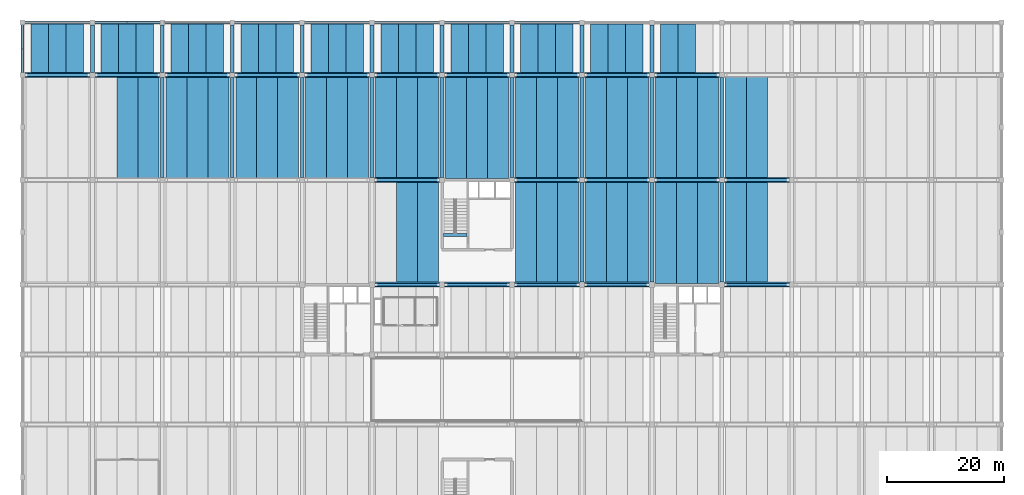
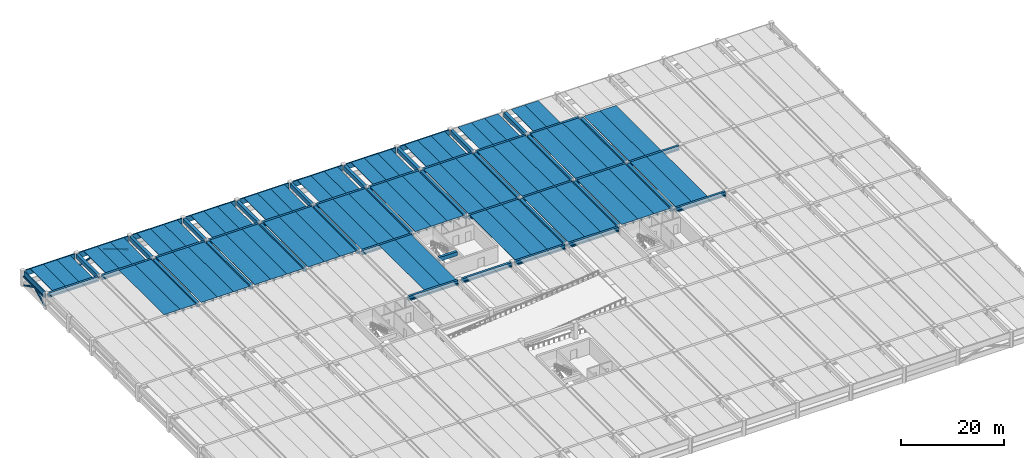
# One storey, part 4 of 19: 121 beams, 4 members.
"""IFC4 building model written with IfcOpenShell, lengths in metres."""

from ifc_helpers import new_model, si_unit, direction, frame, origin, origin_2d, place, context, subcontext, project, spatial, polyline, rectangle, hollow_rectangle, outline, extrude, material, material_profile, profile_set, type_object, element, save


model = new_model("IFC4")

# Units and contexts
model_context = context("Model", 3, precision=1e-05, world=origin(), true_north=direction((0.0, 1.0)))
body_context = subcontext(model_context, "Body", "Model", "MODEL_VIEW")
ifc_project = project(units=[si_unit("LENGTHUNIT", "METRE"), si_unit("AREAUNIT", "SQUARE_METRE"), si_unit("VOLUMEUNIT", "CUBIC_METRE"), si_unit("PLANEANGLEUNIT", "RADIAN"), si_unit("MASSUNIT", "GRAM", prefix="KILO")], contexts=[model_context])

# Site, building, storey
site_placement = place(None, origin())
site = spatial("IfcSite", under=ifc_project, at=site_placement, CompositionType="ELEMENT")
building_placement = place(site_placement, origin())
building = spatial("IfcBuilding", under=site, at=building_placement, Name="Girod Span Mobility Hub", CompositionType="ELEMENT")
storey_placement = place(building_placement, frame((0.0, 0.0, 13.39990234375)))
storey = spatial("IfcBuildingStorey", under=building, at=storey_placement, Name="L03", CompositionType="ELEMENT", Elevation=13.39990234375)

# Beams
ifc_material_1 = material(Name="Concrete C50/60", Category="concrete")
ifc_material_profile_1 = material_profile(ifc_material_1, outline(polyline([(-1.5, 0.35009765625), (-1.5, 0.2548828125), (-0.840087890625, 0.2548828125), (-0.81494140625, -0.35009765625), (-0.68505859375, -0.35009765625), (-0.659912109375, 0.2548828125), (0.659912109375, 0.2548828125), (0.68505859375, -0.35009765625), (0.81494140625, -0.35009765625), (0.840087890625, 0.2548828125), (1.5, 0.2548828125), (1.5, 0.35009765625), (-1.5, 0.35009765625)])), Name="DT-3000X700")
ifc_profile_set_1 = profile_set([ifc_material_profile_1], Name="Concrete C50/60")
beam_type_1 = type_object("IfcBeamType", Name="BM-DT-3000X700", PredefinedType="JOIST", material=ifc_profile_set_1)
for number, where, z_axis, x_axis, name in (
    (1, (3.0, 105.2470703125, 3.26513671875), (0.0, 1.0, 0.0), (-1.0, 0.0, 0.0), "Double-Tee Deck 1/H-1 L03"),
    (2, (6.0, 105.2470703125, 3.26513671875), (0.0, 1.0, 0.0), (-1.0, 0.0, 0.0), "Double-Tee Deck 1/H-2 L03"),
    (3, (9.0, 105.2470703125, 3.26513671875), (0.0, 1.0, 0.0), (-1.0, 0.0, 0.0), "Double-Tee Deck 1/H-3 L03"),
    (4, (15.0, 105.2470703125, 3.26513671875), (0.0, 1.0, 0.0), (-1.0, 0.0, 0.0), "Double-Tee Deck 2/H-1 L03"),
    (5, (18.0, 105.2470703125, 3.26513671875), (0.0, 1.0, 0.0), (-1.0, 0.0, 0.0), "Double-Tee Deck 2/H-2 L03"),
    (6, (21.0, 105.2470703125, 3.26513671875), (0.0, 1.0, 0.0), (-1.0, 0.0, 0.0), "Double-Tee Deck 2/H-3 L03"),
    (7, (27.0, 105.2470703125, 3.26513671875), (0.0, 1.0, 0.0), (-1.0, 0.0, 0.0), "Double-Tee Deck 3/H-1 L03"),
    (8, (30.0, 105.2470703125, 3.26513671875), (0.0, 1.0, 0.0), (-1.0, 0.0, 0.0), "Double-Tee Deck 3/H-2 L03"),
    (9, (33.0, 105.2470703125, 3.26513671875), (0.0, 1.0, 0.0), (-1.0, 0.0, 0.0), "Double-Tee Deck 3/H-3 L03"),
    (10, (39.0, 105.2470703125, 3.26513671875), (0.0, 1.0, 0.0), (-1.0, 0.0, 0.0), "Double-Tee Deck 4/H-1 L03"),
    (11, (42.0, 105.2470703125, 3.26513671875), (0.0, 1.0, 0.0), (-1.0, 0.0, 0.0), "Double-Tee Deck 4/H-2 L03"),
    (12, (45.0, 105.2470703125, 3.26513671875), (0.0, 1.0, 0.0), (-1.0, 0.0, 0.0), "Double-Tee Deck 4/H-3 L03"),
    (13, (51.0, 105.2470703125, 3.26513671875), (0.0, 1.0, 0.0), (-1.0, 0.0, 0.0), "Double-Tee Deck 5/H-1 L03"),
    (14, (54.0, 105.2470703125, 3.26513671875), (0.0, 1.0, 0.0), (-1.0, 0.0, 0.0), "Double-Tee Deck 5/H-2 L03"),
    (15, (57.0, 105.2470703125, 3.26513671875), (0.0, 1.0, 0.0), (-1.0, 0.0, 0.0), "Double-Tee Deck 5/H-3 L03"),
    (16, (63.0, 105.2470703125, 3.26513671875), (0.0, 1.0, 0.0), (-1.0, 0.0, 0.0), "Double-Tee Deck 6/H-1 L03"),
    (17, (66.0, 105.2470703125, 3.26513671875), (0.0, 1.0, 0.0), (-1.0, 0.0, 0.0), "Double-Tee Deck 6/H-2 L03"),
    (18, (69.0, 105.2470703125, 3.26513671875), (0.0, 1.0, 0.0), (-1.0, 0.0, 0.0), "Double-Tee Deck 6/H-3 L03"),
    (19, (75.0, 105.2470703125, 3.26513671875), (0.0, 1.0, 0.0), (-1.0, 0.0, 0.0), "Double-Tee Deck 7/H-1 L03"),
    (20, (78.0, 105.2470703125, 3.26513671875), (0.0, 1.0, 0.0), (-1.0, 0.0, 0.0), "Double-Tee Deck 7/H-2 L03"),
    (21, (81.0, 105.2470703125, 3.26513671875), (0.0, 1.0, 0.0), (-1.0, 0.0, 0.0), "Double-Tee Deck 7/H-3 L03"),
    (22, (87.0, 105.2470703125, 3.26513671875), (0.0, 1.0, 0.0), (-1.0, 0.0, 0.0), "Double-Tee Deck 8/H-1 L03"),
    (23, (90.0, 105.2470703125, 3.26513671875), (0.0, 1.0, 0.0), (-1.0, 0.0, 0.0), "Double-Tee Deck 8/H-2 L03"),
    (24, (93.0, 105.2470703125, 3.26513671875), (0.0, 1.0, 0.0), (-1.0, 0.0, 0.0), "Double-Tee Deck 8/H-3 L03"),
    (25, (99.0, 105.2470703125, 3.26513671875), (0.0, 1.0, 0.0), (-1.0, 0.0, 0.0), "Double-Tee Deck 9/H-1 L03"),
    (26, (102.0, 105.2470703125, 3.26513671875), (0.0, 1.0, 0.0), (-1.0, 0.0, 0.0), "Double-Tee Deck 9/H-2 L03"),
    (27, (105.0, 105.2470703125, 3.26513671875), (0.0, 1.0, 0.0), (-1.0, 0.0, 0.0), "Double-Tee Deck 9/H-3 L03"),
    (28, (111.0, 105.2470703125, 3.26513671875), (0.0, 1.0, 0.0), (-1.0, 0.0, 0.0), "Double-Tee Deck 10/H-1 L03"),
    (29, (114.0, 105.2470703125, 3.26513671875), (0.0, 1.0, 0.0), (-1.0, 0.0, 0.0), "Double-Tee Deck 10/H-2 L03"),
):
    element("IfcBeam", number, at=place(storey_placement, frame(where, z_axis=z_axis, x_axis=x_axis)), inside=storey, type_object=beam_type_1, Name=name, PredefinedType="JOIST", context=body_context, shape_type="SweptSolid", body=[
        extrude(outline(polyline([(-1.5, 0.35009765625), (-1.5, 0.2548828125), (-0.840087890625, 0.2548828125), (-0.81494140625, -0.35009765625), (-0.68505859375, -0.35009765625), (-0.659912109375, 0.2548828125), (0.659912109375, 0.2548828125), (0.68505859375, -0.35009765625), (0.81494140625, -0.35009765625), (0.840087890625, 0.2548828125), (1.5, 0.2548828125), (1.5, 0.35009765625), (-1.5, 0.35009765625)])), origin(), (0.0, 0.0, 1.0), 8.531005859375),
    ])
ifc_material_2 = material(Name="Concrete C50/60", Category="concrete")
ifc_material_profile_2 = material_profile(ifc_material_2, outline(polyline([(-1.800048828125, 0.425048828125), (-1.800048828125, 0.324951171875), (-1.0, 0.324951171875), (-0.969970703125, -0.425048828125), (-0.830078125, -0.425048828125), (-0.800048828125, 0.324951171875), (0.800048828125, 0.324951171875), (0.830078125, -0.425048828125), (0.969970703125, -0.425048828125), (1.0, 0.324951171875), (1.800048828125, 0.324951171875), (1.800048828125, 0.425048828125), (-1.800048828125, 0.425048828125)])), Name="DT-3600X850")
ifc_profile_set_2 = profile_set([ifc_material_profile_2], Name="Concrete C50/60")
beam_type_2 = type_object("IfcBeamType", Name="BM-DT-3600X850", PredefinedType="JOIST", material=ifc_profile_set_2)
for number, where, z_axis, x_axis, name in (
    (30, (18.0, 87.2470703125, 3.190185546875), (0.0, 1.0, 0.0), (-1.0, 0.0, 0.0), "Double-Tee Deck 2/G-2 L03"),
    (31, (21.60009765625, 87.2470703125, 3.190185546875), (0.0, 1.0, 0.0), (-1.0, 0.0, 0.0), "Double-Tee Deck 2/G-3 L03"),
    (32, (26.39990234375, 87.2470703125, 3.190185546875), (0.0, 1.0, 0.0), (-1.0, 0.0, 0.0), "Double-Tee Deck 3/G-1 L03"),
    (33, (30.0, 87.2470703125, 3.190185546875), (0.0, 1.0, 0.0), (-1.0, 0.0, 0.0), "Double-Tee Deck 3/G-2 L03"),
    (34, (33.60009765625, 87.2470703125, 3.190185546875), (0.0, 1.0, 0.0), (-1.0, 0.0, 0.0), "Double-Tee Deck 3/G-3 L03"),
    (35, (38.39990234375, 87.2470703125, 3.190185546875), (0.0, 1.0, 0.0), (-1.0, 0.0, 0.0), "Double-Tee Deck 4/G-1 L03"),
    (36, (42.0, 87.2470703125, 3.190185546875), (0.0, 1.0, 0.0), (-1.0, 0.0, 0.0), "Double-Tee Deck 4/G-2 L03"),
    (37, (45.60009765625, 87.2470703125, 3.190185546875), (0.0, 1.0, 0.0), (-1.0, 0.0, 0.0), "Double-Tee Deck 4/G-3 L03"),
    (38, (50.39990234375, 87.2470703125, 3.190185546875), (0.0, 1.0, 0.0), (-1.0, 0.0, 0.0), "Double-Tee Deck 5/G-1 L03"),
    (39, (54.0, 87.2470703125, 3.190185546875), (0.0, 1.0, 0.0), (-1.0, 0.0, 0.0), "Double-Tee Deck 5/G-2 L03"),
    (40, (57.60009765625, 87.2470703125, 3.190185546875), (0.0, 1.0, 0.0), (-1.0, 0.0, 0.0), "Double-Tee Deck 5/G-3 L03"),
    (41, (66.0, 69.2470703125, 3.190185546875), (0.0, 1.0, 0.0), (-1.0, 0.0, 0.0), "Double-Tee Deck 6/F-2 L03"),
    (42, (69.60009765625, 69.2470703125, 3.190185546875), (0.0, 1.0, 0.0), (-1.0, 0.0, 0.0), "Double-Tee Deck 6/F-3 L03"),
    (43, (62.39990234375, 87.2470703125, 3.190185546875), (0.0, 1.0, 0.0), (-1.0, 0.0, 0.0), "Double-Tee Deck 6/G-1 L03"),
    (44, (66.0, 87.2470703125, 3.190185546875), (0.0, 1.0, 0.0), (-1.0, 0.0, 0.0), "Double-Tee Deck 6/G-2 L03"),
    (45, (69.60009765625, 87.2470703125, 3.190185546875), (0.0, 1.0, 0.0), (-1.0, 0.0, 0.0), "Double-Tee Deck 6/G-3 L03"),
):
    element("IfcBeam", number, at=place(storey_placement, frame(where, z_axis=z_axis, x_axis=x_axis)), inside=storey, type_object=beam_type_2, Name=name, PredefinedType="JOIST", context=body_context, shape_type="SweptSolid", body=[
        extrude(outline(polyline([(-1.800048828125, 0.425048828125), (-1.800048828125, 0.324951171875), (-1.0, 0.324951171875), (-0.969970703125, -0.425048828125), (-0.830078125, -0.425048828125), (-0.800048828125, 0.324951171875), (0.800048828125, 0.324951171875), (0.830078125, -0.425048828125), (0.969970703125, -0.425048828125), (1.0, 0.324951171875), (1.800048828125, 0.324951171875), (1.800048828125, 0.425048828125), (-1.800048828125, 0.425048828125)])), origin(), (0.0, 0.0, 1.0), 17.505859375),
    ])
for number, where, z_axis, x_axis, name in (
    (46, (74.39990234375, 87.221923828125, 3.190185546875), (0.0, 1.0, 0.0), (-1.0, 0.0, 0.0), "Double-Tee Deck 7/G-1 L03"),
    (47, (78.0, 87.221923828125, 3.190185546875), (0.0, 1.0, 0.0), (-1.0, 0.0, 0.0), "Double-Tee Deck 7/G-2 L03"),
    (48, (81.60009765625, 87.221923828125, 3.190185546875), (0.0, 1.0, 0.0), (-1.0, 0.0, 0.0), "Double-Tee Deck 7/G-3 L03"),
):
    element("IfcBeam", number, at=place(storey_placement, frame(where, z_axis=z_axis, x_axis=x_axis)), inside=storey, type_object=beam_type_2, Name=name, PredefinedType="JOIST", context=body_context, shape_type="SweptSolid", body=[
        extrude(outline(polyline([(-1.800048828125, 0.425048828125), (-1.800048828125, 0.324951171875), (-1.0, 0.324951171875), (-0.969970703125, -0.425048828125), (-0.830078125, -0.425048828125), (-0.800048828125, 0.324951171875), (0.800048828125, 0.324951171875), (0.830078125, -0.425048828125), (0.969970703125, -0.425048828125), (1.0, 0.324951171875), (1.800048828125, 0.324951171875), (1.800048828125, 0.425048828125), (-1.800048828125, 0.425048828125)])), origin(), (0.0, 0.0, 1.0), 17.531005859375),
    ])
for number, where, z_axis, x_axis, name in (
    (49, (86.39990234375, 69.2470703125, 3.190185546875), (0.0, 1.0, 0.0), (-1.0, 0.0, 0.0), "Double-Tee Deck 8/F-1 L03"),
    (50, (90.0, 69.2470703125, 3.190185546875), (0.0, 1.0, 0.0), (-1.0, 0.0, 0.0), "Double-Tee Deck 8/F-2 L03"),
    (51, (93.60009765625, 69.2470703125, 3.190185546875), (0.0, 1.0, 0.0), (-1.0, 0.0, 0.0), "Double-Tee Deck 8/F-3 L03"),
    (52, (86.39990234375, 87.2470703125, 3.190185546875), (0.0, 1.0, 0.0), (-1.0, 0.0, 0.0), "Double-Tee Deck 8/G-1 L03"),
    (53, (90.0, 87.2470703125, 3.190185546875), (0.0, 1.0, 0.0), (-1.0, 0.0, 0.0), "Double-Tee Deck 8/G-2 L03"),
    (54, (93.60009765625, 87.2470703125, 3.190185546875), (0.0, 1.0, 0.0), (-1.0, 0.0, 0.0), "Double-Tee Deck 8/G-3 L03"),
    (55, (98.39990234375, 69.2470703125, 3.190185546875), (0.0, 1.0, 0.0), (-1.0, 0.0, 0.0), "Double-Tee Deck 9/F-1 L03"),
    (56, (102.0, 69.2470703125, 3.190185546875), (0.0, 1.0, 0.0), (-1.0, 0.0, 0.0), "Double-Tee Deck 9/F-2 L03"),
    (57, (105.60009765625, 69.2470703125, 3.190185546875), (0.0, 1.0, 0.0), (-1.0, 0.0, 0.0), "Double-Tee Deck 9/F-3 L03"),
    (58, (98.39990234375, 87.2470703125, 3.190185546875), (0.0, 1.0, 0.0), (-1.0, 0.0, 0.0), "Double-Tee Deck 9/G-1 L03"),
    (59, (102.0, 87.2470703125, 3.190185546875), (0.0, 1.0, 0.0), (-1.0, 0.0, 0.0), "Double-Tee Deck 9/G-2 L03"),
    (60, (105.60009765625, 87.2470703125, 3.190185546875), (0.0, 1.0, 0.0), (-1.0, 0.0, 0.0), "Double-Tee Deck 9/G-3 L03"),
    (61, (110.39990234375, 69.2470703125, 3.190185546875), (0.0, 1.0, 0.0), (-1.0, 0.0, 0.0), "Double-Tee Deck 10/F-1 L03"),
    (62, (114.0, 69.2470703125, 3.190185546875), (0.0, 1.0, 0.0), (-1.0, 0.0, 0.0), "Double-Tee Deck 10/F-2 L03"),
    (63, (117.60009765625, 69.2470703125, 3.190185546875), (0.0, 1.0, 0.0), (-1.0, 0.0, 0.0), "Double-Tee Deck 10/F-3 L03"),
    (64, (110.39990234375, 87.2470703125, 3.190185546875), (0.0, 1.0, 0.0), (-1.0, 0.0, 0.0), "Double-Tee Deck 10/G-1 L03"),
    (65, (114.0, 87.2470703125, 3.190185546875), (0.0, 1.0, 0.0), (-1.0, 0.0, 0.0), "Double-Tee Deck 10/G-2 L03"),
    (66, (117.60009765625, 87.2470703125, 3.190185546875), (0.0, 1.0, 0.0), (-1.0, 0.0, 0.0), "Double-Tee Deck 10/G-3 L03"),
    (67, (122.39990234375, 69.2470703125, 3.190185546875), (0.0, 1.0, 0.0), (-1.0, 0.0, 0.0), "Double-Tee Deck 11/F-1 L03"),
    (68, (126.0, 69.2470703125, 3.190185546875), (0.0, 1.0, 0.0), (-1.0, 0.0, 0.0), "Double-Tee Deck 11/F-2 L03"),
    (69, (122.39990234375, 87.2470703125, 3.190185546875), (0.0, 1.0, 0.0), (-1.0, 0.0, 0.0), "Double-Tee Deck 11/G-1 L03"),
    (70, (126.0, 87.2470703125, 3.190185546875), (0.0, 1.0, 0.0), (-1.0, 0.0, 0.0), "Double-Tee Deck 11/G-2 L03"),
):
    element("IfcBeam", number, at=place(storey_placement, frame(where, z_axis=z_axis, x_axis=x_axis)), inside=storey, type_object=beam_type_2, Name=name, PredefinedType="JOIST", context=body_context, shape_type="SweptSolid", body=[
        extrude(outline(polyline([(-1.800048828125, 0.425048828125), (-1.800048828125, 0.324951171875), (-1.0, 0.324951171875), (-0.969970703125, -0.425048828125), (-0.830078125, -0.425048828125), (-0.800048828125, 0.324951171875), (0.800048828125, 0.324951171875), (0.830078125, -0.425048828125), (0.969970703125, -0.425048828125), (1.0, 0.324951171875), (1.800048828125, 0.324951171875), (1.800048828125, 0.425048828125), (-1.800048828125, 0.425048828125)])), origin(), (0.0, 0.0, 1.0), 17.505859375),
    ])
ifc_material_3 = material(Name="Concrete C50/60", Category="concrete")
ifc_material_profile_3 = material_profile(ifc_material_3, outline(polyline([(-0.425048828125, -0.47509765625), (0.425048828125, -0.47509765625), (0.425048828125, -0.155029296875), (0.25, -0.155029296875), (0.25, 0.47509765625), (-0.25, 0.47509765625), (-0.25, -0.155029296875), (-0.425048828125, -0.155029296875), (-0.425048828125, -0.47509765625)])), Name="IT-850X950")
ifc_profile_set_3 = profile_set([ifc_material_profile_3], Name="Concrete C50/60")
beam_type_3 = type_object("IfcBeamType", Name="BM-IT-850X950", PredefinedType="T_BEAM", material=ifc_profile_set_3)
for number, where, z_axis, x_axis, name in (
    (71, (60.447021484375, 69.0, 3.14013671875), (1.0, 0.0, 0.0), (0.0, 1.0, 0.0), "Girder 6-7/F L03"),
    (72, (72.447021484375, 69.0, 3.14013671875), (1.0, 0.0, 0.0), (0.0, 1.0, 0.0), "Girder 7-8/F L03"),
    (73, (84.447021484375, 69.0, 3.14013671875), (1.0, 0.0, 0.0), (0.0, 1.0, 0.0), "Girder 8-9/F L03"),
    (74, (96.447021484375, 69.0, 3.14013671875), (1.0, 0.0, 0.0), (0.0, 1.0, 0.0), "Girder 9-10/F L03"),
):
    element("IfcBeam", number, at=place(storey_placement, frame(where, z_axis=z_axis, x_axis=x_axis)), inside=storey, type_object=beam_type_3, Name=name, PredefinedType="T_BEAM", context=body_context, shape_type="SweptSolid", body=[
        extrude(outline(polyline([(-0.425048828125, -0.47509765625), (0.425048828125, -0.47509765625), (0.425048828125, -0.155029296875), (0.25, -0.155029296875), (0.25, 0.47509765625), (-0.25, 0.47509765625), (-0.25, -0.155029296875), (-0.425048828125, -0.155029296875), (-0.425048828125, -0.47509765625)])), origin(), (0.0, 0.0, 1.0), 11.10595703125),
    ])
beam_1_placement = place(storey_placement, frame((120.447021484375, 69.0, 3.14013671875), z_axis=(1.0, 0.0, 0.0), x_axis=(0.0, 1.0, 0.0)))
element("IfcBeam", 75, at=beam_1_placement, inside=storey, type_object=beam_type_3, Name="Girder 11-12/F L03", PredefinedType="T_BEAM", context=body_context, shape_type="SweptSolid", body=[
    extrude(outline(polyline([(-0.425048828125, -0.47509765625), (0.425048828125, -0.47509765625), (0.425048828125, -0.155029296875), (0.25, -0.155029296875), (0.25, 0.47509765625), (-0.25, 0.47509765625), (-0.25, -0.155029296875), (-0.425048828125, -0.155029296875), (-0.425048828125, -0.47509765625)])), origin(), (0.0, 0.0, 1.0), 11.130859375),
])
for number, where, z_axis, x_axis, name in (
    (76, (60.422119140625, 87.0, 3.14013671875), (1.0, 0.0, 0.0), (0.0, 1.0, 0.0), "Girder 6-7/G L03"),
    (77, (84.422119140625, 87.0, 3.14013671875), (1.0, 0.0, 0.0), (0.0, 1.0, 0.0), "Girder 8-9/G L03"),
    (78, (96.422119140625, 87.0, 3.14013671875), (1.0, 0.0, 0.0), (0.0, 1.0, 0.0), "Girder 9-10/G L03"),
    (79, (108.422119140625, 87.0, 3.14013671875), (1.0, 0.0, 0.0), (0.0, 1.0, 0.0), "Girder 10-11/G L03"),
    (80, (120.422119140625, 87.0, 3.14013671875), (1.0, 0.0, 0.0), (0.0, 1.0, 0.0), "Girder 11-12/G L03"),
    (81, (0.422119140625, 105.0, 3.14013671875), (1.0, 0.0, 0.0), (0.0, 1.0, 0.0), "Girder 1-2/H L03"),
    (82, (12.422119140625, 105.0, 3.14013671875), (1.0, 0.0, 0.0), (0.0, 1.0, 0.0), "Girder 2-3/H L03"),
    (83, (24.422119140625, 105.0, 3.14013671875), (1.0, 0.0, 0.0), (0.0, 1.0, 0.0), "Girder 3-4/H L03"),
    (84, (36.422119140625, 105.0, 3.14013671875), (1.0, 0.0, 0.0), (0.0, 1.0, 0.0), "Girder 4-5/H L03"),
    (85, (48.422119140625, 105.0, 3.14013671875), (1.0, 0.0, 0.0), (0.0, 1.0, 0.0), "Girder 5-6/H L03"),
    (86, (60.422119140625, 105.0, 3.14013671875), (1.0, 0.0, 0.0), (0.0, 1.0, 0.0), "Girder 6-7/H L03"),
    (87, (72.422119140625, 105.0, 3.14013671875), (1.0, 0.0, 0.0), (0.0, 1.0, 0.0), "Girder 7-8/H L03"),
    (88, (84.422119140625, 105.0, 3.14013671875), (1.0, 0.0, 0.0), (0.0, 1.0, 0.0), "Girder 8-9/H L03"),
    (89, (96.422119140625, 105.0, 3.14013671875), (1.0, 0.0, 0.0), (0.0, 1.0, 0.0), "Girder 9-10/H L03"),
    (90, (108.422119140625, 105.0, 3.14013671875), (1.0, 0.0, 0.0), (0.0, 1.0, 0.0), "Girder 10-11/H L03"),
):
    element("IfcBeam", number, at=place(storey_placement, frame(where, z_axis=z_axis, x_axis=x_axis)), inside=storey, type_object=beam_type_3, Name=name, PredefinedType="T_BEAM", context=body_context, shape_type="SweptSolid", body=[
        extrude(outline(polyline([(-0.425048828125, -0.47509765625), (0.425048828125, -0.47509765625), (0.425048828125, -0.155029296875), (0.25, -0.155029296875), (0.25, 0.47509765625), (-0.25, 0.47509765625), (-0.25, -0.155029296875), (-0.425048828125, -0.155029296875), (-0.425048828125, -0.47509765625)])), origin(), (0.0, 0.0, 1.0), 11.15576171875),
    ])
ifc_material_4 = material(Name="Concrete C40/50", Category="concrete")
ifc_material_profile_4 = material_profile(ifc_material_4, rectangle(XDim=0.550048828125, YDim=0.949951171875, at=origin_2d()), Name="RK-550X950")
ifc_profile_set_4 = profile_set([ifc_material_profile_4], Name="Concrete C40/50")
beam_type_4 = type_object("IfcBeamType", Name="BM-RK-550X950", PredefinedType="BEAM", material=ifc_profile_set_4)
beam_2_placement = place(storey_placement, frame((72.221923828125, 77.550048828125, 3.14013671875), z_axis=(1.0, 0.0, 0.0), x_axis=(0.0, 1.0, 0.0)))
element("IfcBeam", 91, at=beam_2_placement, inside=storey, type_object=beam_type_4, Name="Stair ST-4 Landing Header Beam L03", PredefinedType="BEAM", context=body_context, shape_type="SweptSolid", body=[
    extrude(rectangle(XDim=0.550048828125, YDim=0.949951171875, at=origin_2d()), origin(), (0.0, 0.0, 1.0), 4.0810546875),
])
ifc_material_5 = material(Name="Concrete C40/50", Category="concrete")
ifc_material_profile_5 = material_profile(ifc_material_5, outline(polyline([(-0.22509765625, -0.675048828125), (0.22509765625, -0.675048828125), (0.22509765625, -0.324951171875), (0.02490234375, -0.324951171875), (0.02490234375, 0.675048828125), (-0.22509765625, 0.675048828125), (-0.22509765625, -0.675048828125)])), Name="SP-450X1350")
ifc_profile_set_5 = profile_set([ifc_material_profile_5], Name="Concrete C40/50")
beam_type_5 = type_object("IfcBeamType", Name="BM-SP-450X1350", PredefinedType="SPANDREL", material=ifc_profile_set_5)
for number, where, z_axis, x_axis, name in (
    (92, (0.422119140625, 114.0, 2.940185546875), (1.0, 0.0, 0.0), (0.0, 1.0, 0.0), "Girder 1-2/J L03"),
    (93, (12.422119140625, 114.0, 2.940185546875), (1.0, 0.0, 0.0), (0.0, 1.0, 0.0), "Girder 2-3/J L03"),
    (94, (24.422119140625, 114.0, 2.940185546875), (1.0, 0.0, 0.0), (0.0, 1.0, 0.0), "Girder 3-4/J L03"),
    (95, (36.422119140625, 114.0, 2.940185546875), (1.0, 0.0, 0.0), (0.0, 1.0, 0.0), "Girder 4-5/J L03"),
    (96, (48.422119140625, 114.0, 2.940185546875), (1.0, 0.0, 0.0), (0.0, 1.0, 0.0), "Girder 5-6/J L03"),
    (97, (60.422119140625, 114.0, 2.940185546875), (1.0, 0.0, 0.0), (0.0, 1.0, 0.0), "Girder 6-7/J L03"),
    (98, (72.422119140625, 114.0, 2.940185546875), (1.0, 0.0, 0.0), (0.0, 1.0, 0.0), "Girder 7-8/J L03"),
    (99, (84.422119140625, 114.0, 2.940185546875), (1.0, 0.0, 0.0), (0.0, 1.0, 0.0), "Girder 8-9/J L03"),
):
    element("IfcBeam", number, at=place(storey_placement, frame(where, z_axis=z_axis, x_axis=x_axis)), inside=storey, type_object=beam_type_5, Name=name, PredefinedType="SPANDREL", context=body_context, shape_type="SweptSolid", body=[
        extrude(outline(polyline([(-0.22509765625, -0.675048828125), (0.22509765625, -0.675048828125), (0.22509765625, -0.324951171875), (0.02490234375, -0.324951171875), (0.02490234375, 0.675048828125), (-0.22509765625, 0.675048828125), (-0.22509765625, -0.675048828125)])), origin(), (0.0, 0.0, 1.0), 11.15576171875),
    ])
beam_3_placement = place(storey_placement, frame((0.0, 105.422119140625, 2.940185546875), z_axis=(0.0, 1.0, 0.0), x_axis=(-1.0, 0.0, 0.0)))
element("IfcBeam", 100, at=beam_3_placement, inside=storey, type_object=beam_type_5, Name="Tie Girder 1/H-J L03", PredefinedType="SPANDREL", context=body_context, shape_type="SweptSolid", body=[
    extrude(outline(polyline([(-0.22509765625, -0.675048828125), (0.22509765625, -0.675048828125), (0.22509765625, -0.324951171875), (0.02490234375, -0.324951171875), (0.02490234375, 0.675048828125), (-0.22509765625, 0.675048828125), (-0.22509765625, -0.675048828125)])), origin(), (0.0, 0.0, 1.0), 8.15576171875),
])
ifc_material_6 = material(Name="Concrete C40/50", Category="concrete")
ifc_material_profile_6 = material_profile(ifc_material_6, rectangle(XDim=0.64990234375, YDim=1.0, at=origin_2d()), Name="TG-650X1000")
ifc_profile_set_6 = profile_set([ifc_material_profile_6], Name="Concrete C40/50")
beam_type_6 = type_object("IfcBeamType", Name="BM-TG-650X1000", PredefinedType="T_BEAM", material=ifc_profile_set_6)
beam_4_placement = place(storey_placement, frame((12.0, 105.422119140625, 3.114990234375), z_axis=(0.0, 1.0, 0.0), x_axis=(-1.0, 0.0, 0.0)))
element("IfcBeam", 101, at=beam_4_placement, inside=storey, type_object=beam_type_6, Name="Tie Girder 2/H-J L03", PredefinedType="T_BEAM", context=body_context, shape_type="SweptSolid", body=[
    extrude(rectangle(XDim=0.64990234375, YDim=1.0, at=origin_2d()), origin(), (0.0, 0.0, 1.0), 8.15576171875),
])
beam_5_placement = place(storey_placement, frame((24.0, 87.422119140625, 3.114990234375), z_axis=(0.0, 1.0, 0.0), x_axis=(-1.0, 0.0, 0.0)))
element("IfcBeam", 102, at=beam_5_placement, inside=storey, type_object=beam_type_6, Name="Tie Girder 3/G-H L03", PredefinedType="T_BEAM", context=body_context, shape_type="SweptSolid", body=[
    extrude(rectangle(XDim=0.64990234375, YDim=1.0, at=origin_2d()), origin(), (0.0, 0.0, 1.0), 17.15576171875),
])
beam_6_placement = place(storey_placement, frame((24.0, 105.422119140625, 3.114990234375), z_axis=(0.0, 1.0, 0.0), x_axis=(-1.0, 0.0, 0.0)))
element("IfcBeam", 103, at=beam_6_placement, inside=storey, type_object=beam_type_6, Name="Tie Girder 3/H-J L03", PredefinedType="T_BEAM", context=body_context, shape_type="SweptSolid", body=[
    extrude(rectangle(XDim=0.64990234375, YDim=1.0, at=origin_2d()), origin(), (0.0, 0.0, 1.0), 8.15576171875),
])
beam_7_placement = place(storey_placement, frame((36.0, 87.422119140625, 3.114990234375), z_axis=(0.0, 1.0, 0.0), x_axis=(-1.0, 0.0, 0.0)))
element("IfcBeam", 104, at=beam_7_placement, inside=storey, type_object=beam_type_6, Name="Tie Girder 4/G-H L03", PredefinedType="T_BEAM", context=body_context, shape_type="SweptSolid", body=[
    extrude(rectangle(XDim=0.64990234375, YDim=1.0, at=origin_2d()), origin(), (0.0, 0.0, 1.0), 17.15576171875),
])
beam_8_placement = place(storey_placement, frame((36.0, 105.422119140625, 3.114990234375), z_axis=(0.0, 1.0, 0.0), x_axis=(-1.0, 0.0, 0.0)))
element("IfcBeam", 105, at=beam_8_placement, inside=storey, type_object=beam_type_6, Name="Tie Girder 4/H-J L03", PredefinedType="T_BEAM", context=body_context, shape_type="SweptSolid", body=[
    extrude(rectangle(XDim=0.64990234375, YDim=1.0, at=origin_2d()), origin(), (0.0, 0.0, 1.0), 8.15576171875),
])
beam_9_placement = place(storey_placement, frame((48.0, 87.422119140625, 3.114990234375), z_axis=(0.0, 1.0, 0.0), x_axis=(-1.0, 0.0, 0.0)))
element("IfcBeam", 106, at=beam_9_placement, inside=storey, type_object=beam_type_6, Name="Tie Girder 5/G-H L03", PredefinedType="T_BEAM", context=body_context, shape_type="SweptSolid", body=[
    extrude(rectangle(XDim=0.64990234375, YDim=1.0, at=origin_2d()), origin(), (0.0, 0.0, 1.0), 17.15576171875),
])
beam_10_placement = place(storey_placement, frame((48.0, 105.422119140625, 3.114990234375), z_axis=(0.0, 1.0, 0.0), x_axis=(-1.0, 0.0, 0.0)))
element("IfcBeam", 107, at=beam_10_placement, inside=storey, type_object=beam_type_6, Name="Tie Girder 5/H-J L03", PredefinedType="T_BEAM", context=body_context, shape_type="SweptSolid", body=[
    extrude(rectangle(XDim=0.64990234375, YDim=1.0, at=origin_2d()), origin(), (0.0, 0.0, 1.0), 8.15576171875),
])
beam_11_placement = place(storey_placement, frame((60.0, 87.422119140625, 3.114990234375), z_axis=(0.0, 1.0, 0.0), x_axis=(-1.0, 0.0, 0.0)))
element("IfcBeam", 108, at=beam_11_placement, inside=storey, type_object=beam_type_6, Name="Tie Girder 6/G-H L03", PredefinedType="T_BEAM", context=body_context, shape_type="SweptSolid", body=[
    extrude(rectangle(XDim=0.64990234375, YDim=1.0, at=origin_2d()), origin(), (0.0, 0.0, 1.0), 17.15576171875),
])
beam_12_placement = place(storey_placement, frame((60.0, 105.422119140625, 3.114990234375), z_axis=(0.0, 1.0, 0.0), x_axis=(-1.0, 0.0, 0.0)))
element("IfcBeam", 109, at=beam_12_placement, inside=storey, type_object=beam_type_6, Name="Tie Girder 6/H-J L03", PredefinedType="T_BEAM", context=body_context, shape_type="SweptSolid", body=[
    extrude(rectangle(XDim=0.64990234375, YDim=1.0, at=origin_2d()), origin(), (0.0, 0.0, 1.0), 8.15576171875),
])
beam_13_placement = place(storey_placement, frame((72.0, 87.422119140625, 3.114990234375), z_axis=(0.0, 1.0, 0.0), x_axis=(-1.0, 0.0, 0.0)))
element("IfcBeam", 110, at=beam_13_placement, inside=storey, type_object=beam_type_6, Name="Tie Girder 7/G-H L03", PredefinedType="T_BEAM", context=body_context, shape_type="SweptSolid", body=[
    extrude(rectangle(XDim=0.64990234375, YDim=1.0, at=origin_2d()), origin(), (0.0, 0.0, 1.0), 17.15576171875),
])
beam_14_placement = place(storey_placement, frame((72.0, 105.422119140625, 3.114990234375), z_axis=(0.0, 1.0, 0.0), x_axis=(-1.0, 0.0, 0.0)))
element("IfcBeam", 111, at=beam_14_placement, inside=storey, type_object=beam_type_6, Name="Tie Girder 7/H-J L03", PredefinedType="T_BEAM", context=body_context, shape_type="SweptSolid", body=[
    extrude(rectangle(XDim=0.64990234375, YDim=1.0, at=origin_2d()), origin(), (0.0, 0.0, 1.0), 8.15576171875),
])
beam_15_placement = place(storey_placement, frame((84.0, 87.422119140625, 3.114990234375), z_axis=(0.0, 1.0, 0.0), x_axis=(-1.0, 0.0, 0.0)))
element("IfcBeam", 112, at=beam_15_placement, inside=storey, type_object=beam_type_6, Name="Tie Girder 8/G-H L03", PredefinedType="T_BEAM", context=body_context, shape_type="SweptSolid", body=[
    extrude(rectangle(XDim=0.64990234375, YDim=1.0, at=origin_2d()), origin(), (0.0, 0.0, 1.0), 17.15576171875),
])
beam_16_placement = place(storey_placement, frame((84.0, 105.422119140625, 3.114990234375), z_axis=(0.0, 1.0, 0.0), x_axis=(-1.0, 0.0, 0.0)))
element("IfcBeam", 113, at=beam_16_placement, inside=storey, type_object=beam_type_6, Name="Tie Girder 8/H-J L03", PredefinedType="T_BEAM", context=body_context, shape_type="SweptSolid", body=[
    extrude(rectangle(XDim=0.64990234375, YDim=1.0, at=origin_2d()), origin(), (0.0, 0.0, 1.0), 8.15576171875),
])
beam_17_placement = place(storey_placement, frame((96.0, 69.447021484375, 3.114990234375), z_axis=(0.0, 1.0, 0.0), x_axis=(-1.0, 0.0, 0.0)))
element("IfcBeam", 114, at=beam_17_placement, inside=storey, type_object=beam_type_6, Name="Tie Girder 9/F-G L03", PredefinedType="T_BEAM", context=body_context, shape_type="SweptSolid", body=[
    extrude(rectangle(XDim=0.64990234375, YDim=1.0, at=origin_2d()), origin(), (0.0, 0.0, 1.0), 17.130859375),
])
beam_18_placement = place(storey_placement, frame((96.0, 87.422119140625, 3.114990234375), z_axis=(0.0, 1.0, 0.0), x_axis=(-1.0, 0.0, 0.0)))
element("IfcBeam", 115, at=beam_18_placement, inside=storey, type_object=beam_type_6, Name="Tie Girder 9/G-H L03", PredefinedType="T_BEAM", context=body_context, shape_type="SweptSolid", body=[
    extrude(rectangle(XDim=0.64990234375, YDim=1.0, at=origin_2d()), origin(), (0.0, 0.0, 1.0), 17.15576171875),
])
beam_19_placement = place(storey_placement, frame((96.0, 105.422119140625, 3.114990234375), z_axis=(0.0, 1.0, 0.0), x_axis=(-1.0, 0.0, 0.0)))
element("IfcBeam", 116, at=beam_19_placement, inside=storey, type_object=beam_type_6, Name="Tie Girder 9/H-J L03", PredefinedType="T_BEAM", context=body_context, shape_type="SweptSolid", body=[
    extrude(rectangle(XDim=0.64990234375, YDim=1.0, at=origin_2d()), origin(), (0.0, 0.0, 1.0), 8.15576171875),
])
beam_20_placement = place(storey_placement, frame((108.0, 69.447021484375, 3.114990234375), z_axis=(0.0, 1.0, 0.0), x_axis=(-1.0, 0.0, 0.0)))
element("IfcBeam", 117, at=beam_20_placement, inside=storey, type_object=beam_type_6, Name="Tie Girder 10/F-G L03", PredefinedType="T_BEAM", context=body_context, shape_type="SweptSolid", body=[
    extrude(rectangle(XDim=0.64990234375, YDim=1.0, at=origin_2d()), origin(), (0.0, 0.0, 1.0), 17.130859375),
])
beam_21_placement = place(storey_placement, frame((108.0, 87.422119140625, 3.114990234375), z_axis=(0.0, 1.0, 0.0), x_axis=(-1.0, 0.0, 0.0)))
element("IfcBeam", 118, at=beam_21_placement, inside=storey, type_object=beam_type_6, Name="Tie Girder 10/G-H L03", PredefinedType="T_BEAM", context=body_context, shape_type="SweptSolid", body=[
    extrude(rectangle(XDim=0.64990234375, YDim=1.0, at=origin_2d()), origin(), (0.0, 0.0, 1.0), 17.15576171875),
])
beam_22_placement = place(storey_placement, frame((108.0, 105.422119140625, 3.114990234375), z_axis=(0.0, 1.0, 0.0), x_axis=(-1.0, 0.0, 0.0)))
element("IfcBeam", 119, at=beam_22_placement, inside=storey, type_object=beam_type_6, Name="Tie Girder 10/H-J L03", PredefinedType="T_BEAM", context=body_context, shape_type="SweptSolid", body=[
    extrude(rectangle(XDim=0.64990234375, YDim=1.0, at=origin_2d()), origin(), (0.0, 0.0, 1.0), 8.15576171875),
])
beam_23_placement = place(storey_placement, frame((120.0, 69.447021484375, 3.114990234375), z_axis=(0.0, 1.0, 0.0), x_axis=(-1.0, 0.0, 0.0)))
element("IfcBeam", 120, at=beam_23_placement, inside=storey, type_object=beam_type_6, Name="Tie Girder 11/F-G L03", PredefinedType="T_BEAM", context=body_context, shape_type="SweptSolid", body=[
    extrude(rectangle(XDim=0.64990234375, YDim=1.0, at=origin_2d()), origin(), (0.0, 0.0, 1.0), 17.130859375),
])
beam_24_placement = place(storey_placement, frame((120.0, 87.422119140625, 3.114990234375), z_axis=(0.0, 1.0, 0.0), x_axis=(-1.0, 0.0, 0.0)))
element("IfcBeam", 121, at=beam_24_placement, inside=storey, type_object=beam_type_6, Name="Tie Girder 11/G-H L03", PredefinedType="T_BEAM", context=body_context, shape_type="SweptSolid", body=[
    extrude(rectangle(XDim=0.64990234375, YDim=1.0, at=origin_2d()), origin(), (0.0, 0.0, 1.0), 17.15576171875),
])

# Members
ifc_material_7 = material(Name="Steel HSS A500 Grade C", Category="steel")
ifc_material_profile_7 = material_profile(ifc_material_7, hollow_rectangle(XDim=0.304931640625, YDim=0.304931640625, WallThickness=0.014892578125, InnerFilletRadius=0.014892578125, OuterFilletRadius=0.029541015625, at=origin_2d()), Name="HSS305X305X16")
ifc_profile_set_7 = profile_set([ifc_material_profile_7], Name="Steel HSS A500 Grade C")
member_type = type_object("IfcMemberType", Name="MB-BR-HSS305", PredefinedType="BRACE", material=ifc_profile_set_7)
for number, where, z_axis, x_axis, name in (
    (122, (12.405029296875, 114.0, 0.35009765625), (0.941906387898, 0.0, 0.335875507348), (0.0, 1.0, 0.0), "Perimeter Chevron Brace 2/J-L L03"),
    (123, (23.594970703125, 114.0, 0.35009765625), (-0.941906387898, 0.0, 0.335875507348), (0.0, -1.0, 0.0), "Perimeter Chevron Brace 2/J-R L03"),
):
    element("IfcMember", number, at=place(storey_placement, frame(where, z_axis=z_axis, x_axis=x_axis)), inside=storey, type_object=member_type, Name=name, PredefinedType="BRACE", context=body_context, shape_type="SweptSolid", body=[
        extrude(hollow_rectangle(XDim=0.304931640625, YDim=0.304931640625, WallThickness=0.014892578125, InnerFilletRadius=0.014892578125, OuterFilletRadius=0.029541015625, at=origin_2d()), origin(), (0.0, 0.0, 1.0), 5.93994140625),
    ])
for number, where, z_axis, x_axis, name in (
    (124, (0.0, 105.405029296875, 0.35009765625), (0.0, 0.898978505565, 0.437992747122), (-1.0, 0.0, 0.0), "Side Chevron Brace 1/H-S L03"),
    (125, (0.0, 113.594970703125, 0.35009765625), (0.0, -0.898978505565, 0.437992747122), (1.0, 0.0, 0.0), "Side Chevron Brace 1/H-N L03"),
):
    element("IfcMember", number, at=place(storey_placement, frame(where, z_axis=z_axis, x_axis=x_axis)), inside=storey, type_object=member_type, Name=name, PredefinedType="BRACE", context=body_context, shape_type="SweptSolid", body=[
        extrude(hollow_rectangle(XDim=0.304931640625, YDim=0.304931640625, WallThickness=0.014892578125, InnerFilletRadius=0.014892578125, OuterFilletRadius=0.029541015625, at=origin_2d()), origin(), (0.0, 0.0, 1.0), 4.55517578125),
    ])

save(model, "model.ifc")
